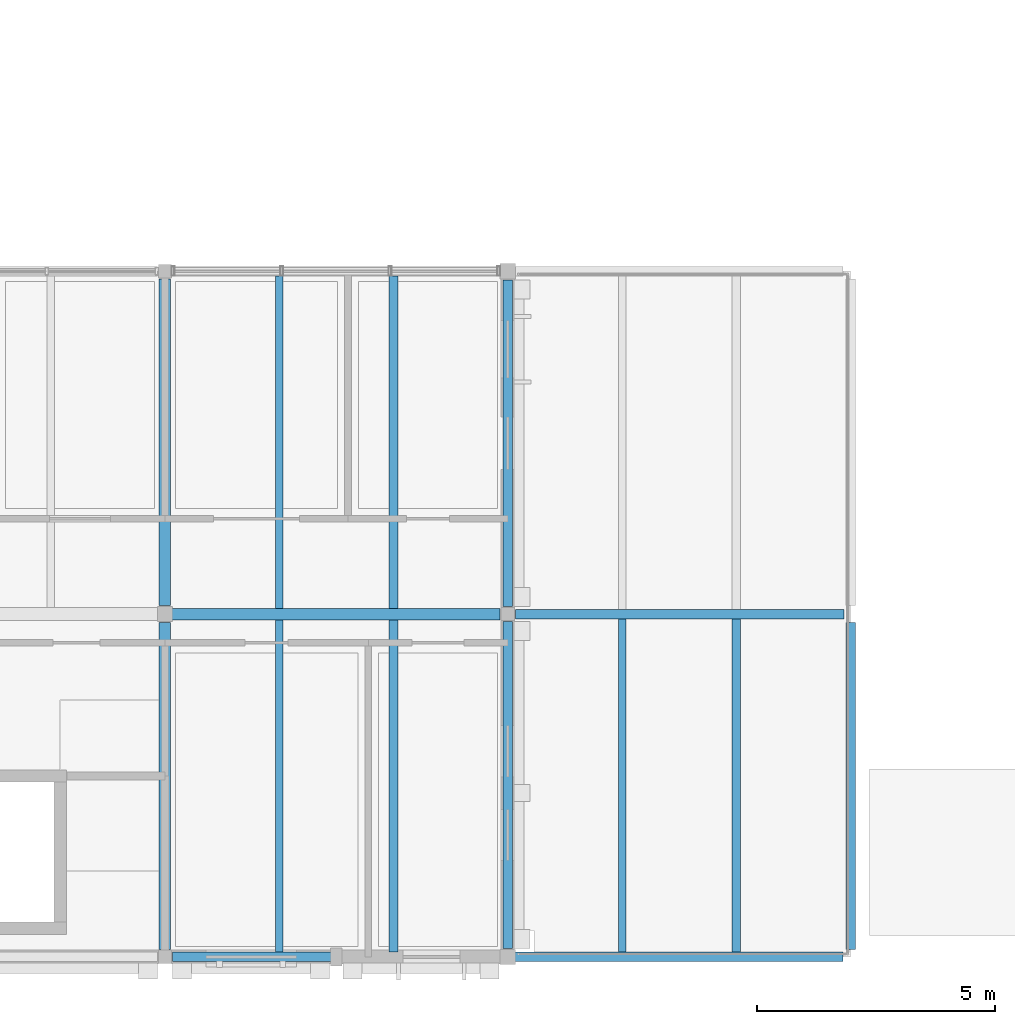
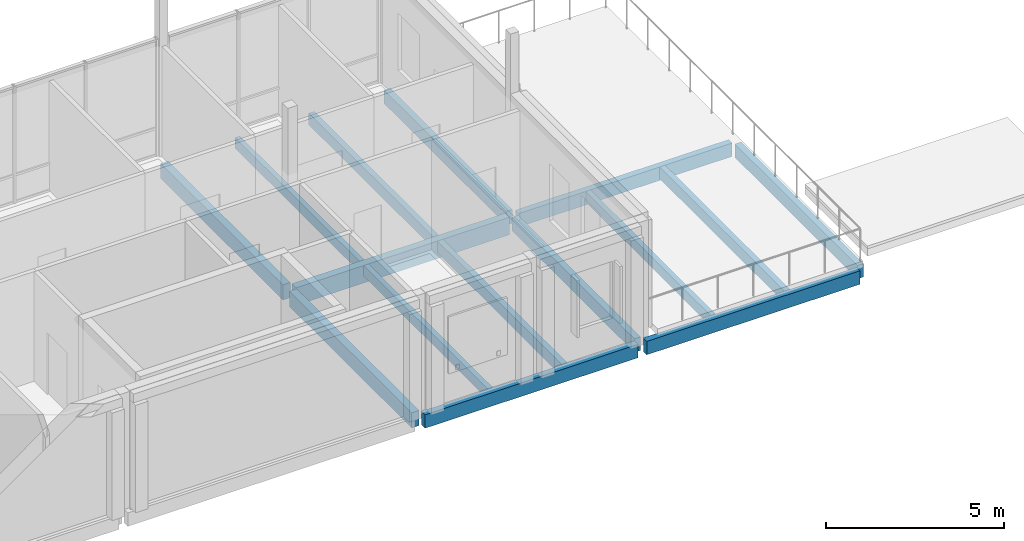
# One storey, part 25 of 57: 15 beams.
"""IFC4 building model written with IfcOpenShell, lengths in metres."""

from ifc_helpers import new_model, si_unit, direction, frame, origin, origin_2d, place, context, subcontext, project, spatial, rectangle, extrude, material, material_profile, profile_set, type_object, element, save


model = new_model("IFC4")

# Units and contexts
model_context = context("Model", 3, precision=1e-05, world=origin(), true_north=direction((0.0, 1.0)))
body_context = subcontext(model_context, "Body", "Model", "MODEL_VIEW")
ifc_project = project(units=[si_unit("LENGTHUNIT", "METRE"), si_unit("AREAUNIT", "SQUARE_METRE"), si_unit("VOLUMEUNIT", "CUBIC_METRE"), si_unit("PLANEANGLEUNIT", "RADIAN"), si_unit("MASSUNIT", "GRAM", prefix="KILO")], contexts=[model_context])

# Site, building, storey
site_placement = place(None, origin())
site = spatial("IfcSite", under=ifc_project, at=site_placement, CompositionType="ELEMENT")
building_placement = place(site_placement, origin())
building = spatial("IfcBuilding", under=site, at=building_placement, Name="Hawrajan Terrace Health Centre", CompositionType="ELEMENT")
storey_placement = place(building_placement, frame((0.0, 0.0, 13.199951171875)))
storey = spatial("IfcBuildingStorey", under=building, at=storey_placement, Name="L03", CompositionType="ELEMENT", Elevation=13.199951171875)

# Beams
ifc_material_1 = material(Name="Glulam GL32h", Category="wood")
ifc_material_profile_1 = material_profile(ifc_material_1, rectangle(XDim=0.239990234375, YDim=0.52001953125, at=origin_2d()), Name="GL BM 240x520")
ifc_profile_set_1 = profile_set([ifc_material_profile_1], Name="Glulam GL32h")
beam_type_1 = type_object("IfcBeamType", Name="GlulamGirder_240x520", PredefinedType="BEAM", material=ifc_profile_set_1)
for number, where, z_axis, x_axis, name in (
    (1, (100.60009765625, 4.360107421875, -0.469970703125), (0.0, 1.0, 0.0), (-1.0, 0.0, 0.0), "Beam BM-Y-L03-C-X13-1"),
    (2, (100.60009765625, 11.580078125, -0.469970703125), (0.0, 1.0, 0.0), (-1.0, 0.0, 0.0), "Beam BM-Y-L03-C-X13-2"),
):
    element("IfcBeam", number, at=place(storey_placement, frame(where, z_axis=z_axis, x_axis=x_axis)), inside=storey, type_object=beam_type_1, Name=name, PredefinedType="BEAM", context=body_context, shape_type="SweptSolid", body=[
        extrude(rectangle(XDim=0.239990234375, YDim=0.52001953125, at=origin_2d()), origin(), (0.0, 0.0, 1.0), 6.85986328125),
    ])
ifc_material_profile_2 = material_profile(ifc_material_1, rectangle(XDim=0.239990234375, YDim=0.60009765625, at=origin_2d()), Name="GL BM 240x600")
ifc_profile_set_2 = profile_set([ifc_material_profile_2], Name="Glulam GL32h")
beam_type_2 = type_object("IfcBeamType", Name="GlulamGirder_240x600", PredefinedType="BEAM", material=ifc_profile_set_2)
beam_1_placement = place(storey_placement, frame((100.739990234375, 11.39990234375, -0.52001953125), z_axis=(1.0, 0.0, 0.0), x_axis=(0.0, 1.0, 0.0)))
element("IfcBeam", 3, at=beam_1_placement, inside=storey, type_object=beam_type_2, Name="Beam BM-X-L03-C-13-Y2", PredefinedType="BEAM", context=body_context, shape_type="SweptSolid", body=[
    extrude(rectangle(XDim=0.239990234375, YDim=0.60009765625, at=origin_2d()), origin(), (0.0, 0.0, 1.0), 6.89990234375),
])
ifc_material_2 = material(Name="Glulam GL28h", Category="wood")
ifc_material_profile_3 = material_profile(ifc_material_2, rectangle(XDim=0.159912109375, YDim=0.360107421875, at=origin_2d()), Name="GL JST 160x360")
ifc_profile_set_3 = profile_set([ifc_material_profile_3], Name="Glulam GL28h")
beam_type_3 = type_object("IfcBeamType", Name="GlulamJoist_160x360", PredefinedType="JOIST", material=ifc_profile_set_3)
for number, where, z_axis, x_axis, name in (
    (4, (103.0, 4.300048828125, -0.39990234375), (0.0, 1.0, 0.0), (-1.0, 0.0, 0.0), "Secondary joist JST-L03-C-13-1-1"),
    (5, (103.0, 11.52001953125, -0.39990234375), (0.0, 1.0, 0.0), (-1.0, 0.0, 0.0), "Secondary joist JST-L03-C-13-2-1"),
):
    element("IfcBeam", number, at=place(storey_placement, frame(where, z_axis=z_axis, x_axis=x_axis)), inside=storey, type_object=beam_type_3, Name=name, PredefinedType="JOIST", context=body_context, shape_type="SweptSolid", body=[
        extrude(rectangle(XDim=0.159912109375, YDim=0.360107421875, at=origin_2d()), origin(), (0.0, 0.0, 1.0), 6.97998046875),
    ])
beam_2_placement = place(storey_placement, frame((110.199951171875, 4.300048828125, -0.39990234375), z_axis=(0.0, 1.0, 0.0), x_axis=(-1.0, 0.0, 0.0)))
element("IfcBeam", 6, at=beam_2_placement, inside=storey, type_object=beam_type_3, Name="Secondary joist JST-L03-C-14-1-1", PredefinedType="JOIST", context=body_context, shape_type="SweptSolid", body=[
    extrude(rectangle(XDim=0.159912109375, YDim=0.360107421875, at=origin_2d()), origin(), (0.0, 0.0, 1.0), 7.0),
])
ifc_material_profile_4 = material_profile(ifc_material_2, rectangle(XDim=0.179931640625, YDim=0.39990234375, at=origin_2d()), Name="GL JST 180x400")
ifc_profile_set_4 = profile_set([ifc_material_profile_4], Name="Glulam GL28h")
beam_type_4 = type_object("IfcBeamType", Name="GlulamJoist_180x400", PredefinedType="JOIST", material=ifc_profile_set_4)
for number, where, z_axis, x_axis, name in (
    (7, (105.39990234375, 4.300048828125, -0.419921875), (0.0, 1.0, 0.0), (-1.0, 0.0, 0.0), "Secondary joist JST-L03-C-13-1-2"),
    (8, (105.39990234375, 11.52001953125, -0.419921875), (0.0, 1.0, 0.0), (-1.0, 0.0, 0.0), "Secondary joist JST-L03-C-13-2-2"),
):
    element("IfcBeam", number, at=place(storey_placement, frame(where, z_axis=z_axis, x_axis=x_axis)), inside=storey, type_object=beam_type_4, Name=name, PredefinedType="JOIST", context=body_context, shape_type="SweptSolid", body=[
        extrude(rectangle(XDim=0.179931640625, YDim=0.39990234375, at=origin_2d()), origin(), (0.0, 0.0, 1.0), 6.97998046875),
    ])
beam_3_placement = place(storey_placement, frame((112.60009765625, 4.300048828125, -0.419921875), z_axis=(0.0, 1.0, 0.0), x_axis=(-1.0, 0.0, 0.0)))
element("IfcBeam", 9, at=beam_3_placement, inside=storey, type_object=beam_type_4, Name="Secondary joist JST-L03-C-14-1-2", PredefinedType="JOIST", context=body_context, shape_type="SweptSolid", body=[
    extrude(rectangle(XDim=0.179931640625, YDim=0.39990234375, at=origin_2d()), origin(), (0.0, 0.0, 1.0), 7.0),
])
ifc_material_profile_5 = material_profile(ifc_material_1, rectangle(XDim=0.199951171875, YDim=0.4599609375, at=origin_2d()), Name="GL SP 200x460")
ifc_profile_set_5 = profile_set([ifc_material_profile_5], Name="Glulam GL32h")
beam_type_5 = type_object("IfcBeamType", Name="GlulamSpandrel_200x460", PredefinedType="SPANDREL", material=ifc_profile_set_5)
beam_4_placement = place(storey_placement, frame((100.760009765625, 4.199951171875, -0.449951171875), z_axis=(1.0, 0.0, 0.0), x_axis=(0.0, 1.0, 0.0)))
element("IfcBeam", 10, at=beam_4_placement, inside=storey, type_object=beam_type_5, Name="Beam BM-X-L03-C-13-Y1", PredefinedType="SPANDREL", context=body_context, shape_type="SweptSolid", body=[
    extrude(rectangle(XDim=0.199951171875, YDim=0.4599609375, at=origin_2d()), origin(), (0.0, 0.0, 1.0), 6.89990234375),
])
for number, where, z_axis, x_axis, name in (
    (11, (107.93994140625, 4.199951171875, -0.449951171875), (1.0, 0.0, 0.0), (0.0, 1.0, 0.0), "Beam BM-X-L03-C-14-Y1"),
    (12, (107.9599609375, 11.39990234375, -0.449951171875), (1.0, 0.0, 0.0), (0.0, 1.0, 0.0), "Beam BM-X-L03-C-14-Y2"),
):
    element("IfcBeam", number, at=place(storey_placement, frame(where, z_axis=z_axis, x_axis=x_axis)), inside=storey, type_object=beam_type_5, Name=name, PredefinedType="SPANDREL", context=body_context, shape_type="SweptSolid", body=[
        extrude(rectangle(XDim=0.199951171875, YDim=0.4599609375, at=origin_2d()), origin(), (0.0, 0.0, 1.0), 6.900146484375),
    ])
beam_5_placement = place(storey_placement, frame((107.800048828125, 4.3798828125, -0.449951171875), z_axis=(0.0, 1.0, 0.0), x_axis=(-1.0, 0.0, 0.0)))
element("IfcBeam", 13, at=beam_5_placement, inside=storey, type_object=beam_type_5, Name="Beam BM-Y-L03-C-X14-1", PredefinedType="SPANDREL", context=body_context, shape_type="SweptSolid", body=[
    extrude(rectangle(XDim=0.199951171875, YDim=0.4599609375, at=origin_2d()), origin(), (0.0, 0.0, 1.0), 6.860107421875),
])
for number, where, z_axis, x_axis, name in (
    (14, (107.800048828125, 11.56005859375, -0.449951171875), (0.0, 1.0, 0.0), (-1.0, 0.0, 0.0), "Beam BM-Y-L03-C-X14-2"),
    (15, (115.0, 4.360107421875, -0.449951171875), (0.0, 1.0, 0.0), (-1.0, 0.0, 0.0), "Beam BM-Y-L03-C-X15-1"),
):
    element("IfcBeam", number, at=place(storey_placement, frame(where, z_axis=z_axis, x_axis=x_axis)), inside=storey, type_object=beam_type_5, Name=name, PredefinedType="SPANDREL", context=body_context, shape_type="SweptSolid", body=[
        extrude(rectangle(XDim=0.199951171875, YDim=0.4599609375, at=origin_2d()), origin(), (0.0, 0.0, 1.0), 6.85986328125),
    ])

save(model, "model.ifc")
